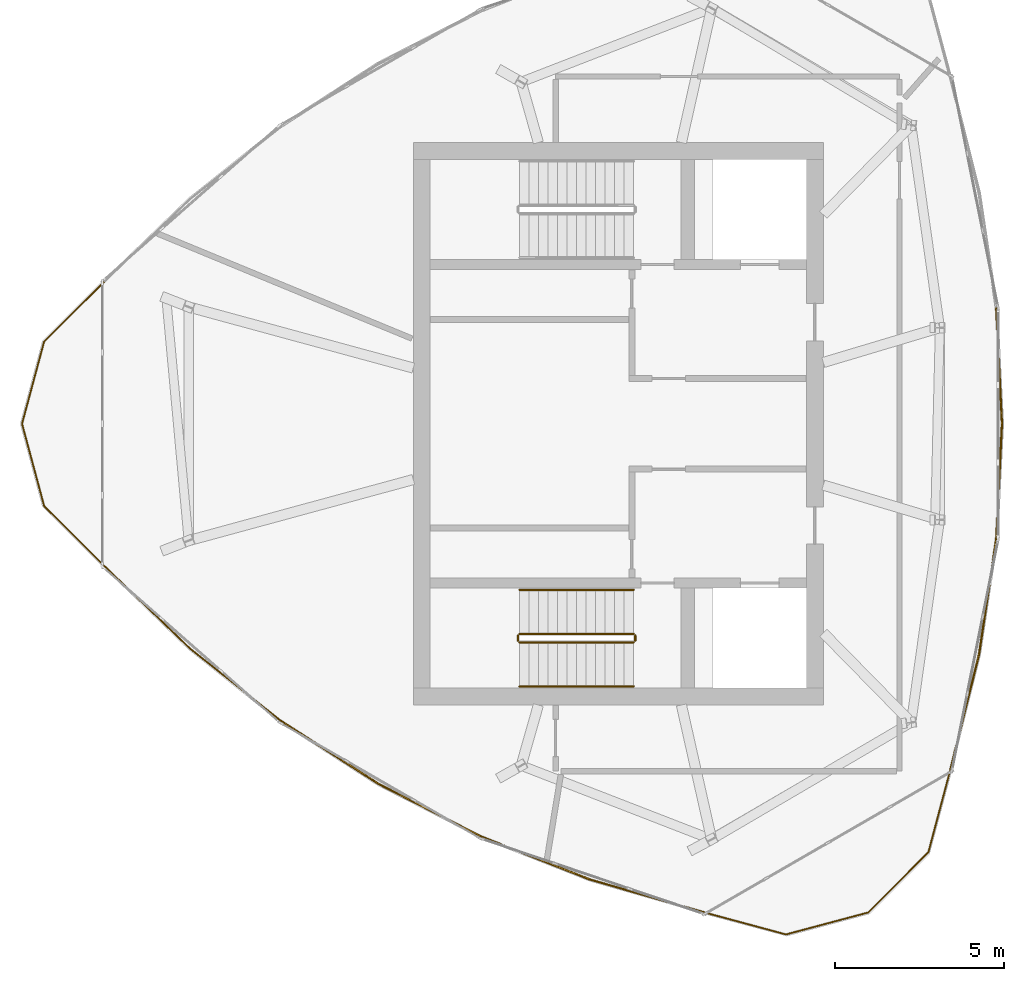
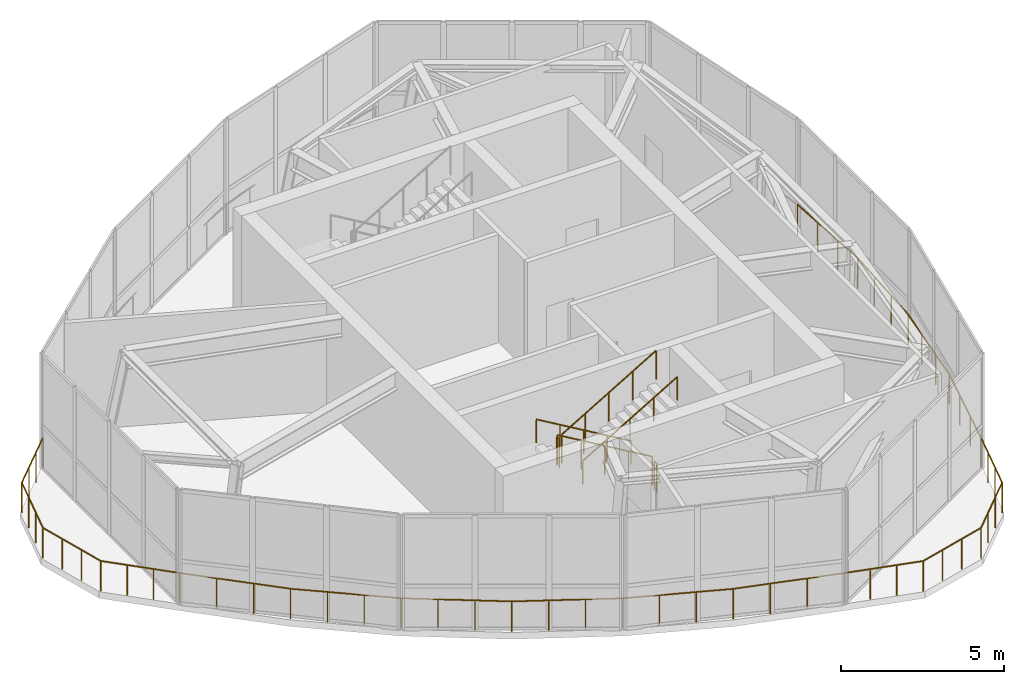
# One storey, part 9 of 10: 13 railings.
"""IFC4 building model written with IfcOpenShell, lengths in metres."""

from ifc_helpers import new_model, si_unit, direction, frame, origin, origin_2d, place, context, subcontext, project, spatial, circle, extrude, source, transform, mapped, material, type_object, element, save


model = new_model("IFC4")

# Units and contexts
model_context = context("Model", 3, precision=1e-05, world=origin(), true_north=direction((0.0, 1.0)))
body_context = subcontext(model_context, "Body", "Model", "MODEL_VIEW")
ifc_project = project(units=[si_unit("LENGTHUNIT", "METRE"), si_unit("AREAUNIT", "SQUARE_METRE"), si_unit("VOLUMEUNIT", "CUBIC_METRE"), si_unit("PLANEANGLEUNIT", "RADIAN"), si_unit("MASSUNIT", "GRAM", prefix="KILO")], contexts=[model_context])

# Site, building, storey
site_placement = place(None, origin())
site = spatial("IfcSite", under=ifc_project, at=site_placement, CompositionType="ELEMENT")
building_placement = place(site_placement, origin())
building = spatial("IfcBuilding", under=site, at=building_placement, Name="Qafzar Sky-Pleat Residences", CompositionType="ELEMENT")
storey_placement = place(building_placement, frame((0.0, 0.0, 261.800048828125)))
storey = spatial("IfcBuildingStorey", under=building, at=storey_placement, Name="L78 Crown", CompositionType="ELEMENT", Elevation=261.800048828125)

# Railings
ifc_material_1 = material(Name="Galvanised and bronze-coated Steel S355 guardrail", Category="steel")
railing_type_1 = type_object("IfcRailingType", Name="RAIL-EXT-1150", PredefinedType="GUARDRAIL", material=ifc_material_1)
shared_shape_1 = source(origin(), body_context, "Body", "SweptSolid", [
    extrude(circle(Radius=0.02392578125, at=origin_2d()), frame((0.0, 0.0, 1.1259765625), z_axis=(-0.70841654923, -0.705794582564, 0.0), x_axis=(0.705794582564, -0.70841654923, 0.0)), (0.0, 0.0, 1.0), 2.51416015625),
    extrude(circle(Radius=0.02392578125, at=origin_2d()), frame((-1.781005859375, -1.7744140625, 1.1259765625), z_axis=(-0.259464627992, -0.965752611605, 0.0), x_axis=(0.965752611605, -0.259464627992, 0.0)), (0.0, 0.0, 1.0), 2.51220703125),
    extrude(circle(Radius=0.02392578125, at=origin_2d()), frame((-2.432861328125, -4.20068359375, 1.1259765625), z_axis=(0.259464627992, -0.965752611605, 0.0), x_axis=(0.965752611605, 0.259464627992, 0.0)), (0.0, 0.0, 1.0), 2.51220703125),
    extrude(circle(Radius=0.02392578125, at=origin_2d()), frame((-1.781005859375, -6.626953125, 1.1259765625), z_axis=(0.70841654923, -0.705794582564, 0.0), x_axis=(0.705794582564, 0.70841654923, 0.0)), (0.0, 0.0, 1.0), 2.51416015625),
    extrude(circle(Radius=0.02099609375, at=origin_2d()), origin(), (0.0, 0.0, 1.0), 1.101806640625),
    extrude(circle(Radius=0.02099609375, at=origin_2d()), frame((-0.59375, -0.591552734375, 0.0)), (0.0, 0.0, 1.0), 1.101806640625),
    extrude(circle(Radius=0.02099609375, at=origin_2d()), frame((-1.187255859375, -1.182861328125, 0.0)), (0.0, 0.0, 1.0), 1.101806640625),
    extrude(circle(Radius=0.02099609375, at=origin_2d()), frame((-1.781005859375, -1.7744140625, 0.0)), (0.0, 0.0, 1.0), 1.101806640625),
    extrude(circle(Radius=0.02099609375, at=origin_2d()), frame((-1.998291015625, -2.583251953125, 0.0)), (0.0, 0.0, 1.0), 1.101806640625),
    extrude(circle(Radius=0.02099609375, at=origin_2d()), frame((-2.215576171875, -3.391845703125, 0.0)), (0.0, 0.0, 1.0), 1.101806640625),
    extrude(circle(Radius=0.02099609375, at=origin_2d()), frame((-2.432861328125, -4.20068359375, 0.0)), (0.0, 0.0, 1.0), 1.101806640625),
    extrude(circle(Radius=0.02099609375, at=origin_2d()), frame((-2.215576171875, -5.009521484375, 0.0)), (0.0, 0.0, 1.0), 1.101806640625),
    extrude(circle(Radius=0.02099609375, at=origin_2d()), frame((-1.998291015625, -5.818115234375, 0.0)), (0.0, 0.0, 1.0), 1.101806640625),
    extrude(circle(Radius=0.02099609375, at=origin_2d()), frame((-1.781005859375, -6.626953125, 0.0)), (0.0, 0.0, 1.0), 1.101806640625),
    extrude(circle(Radius=0.02099609375, at=origin_2d()), frame((-1.187255859375, -7.218505859375, 0.0)), (0.0, 0.0, 1.0), 1.101806640625),
    extrude(circle(Radius=0.02099609375, at=origin_2d()), frame((-0.59375, -7.809814453125, 0.0)), (0.0, 0.0, 1.0), 1.101806640625),
    extrude(circle(Radius=0.02099609375, at=origin_2d()), frame((0.0, -8.4013671875, 0.0)), (0.0, 0.0, 1.0), 1.101806640625),
])
railing_1_placement = place(storey_placement, frame((15.186279296875, 30.20068359375, 0.0)))
element("IfcRailing", 1, at=railing_1_placement, inside=storey, type_object=railing_type_1, Name="L78 Crown Corner Maintenance Guardrail 1", PredefinedType="GUARDRAIL", context=body_context, shape_type="MappedRepresentation", body=[
    mapped(shared_shape_1, transform((0.0, 0.0, 0.0), x_axis=(1.0, 0.0, 0.0), y_axis=(0.0, 1.0, 0.0), z_axis=(0.0, 0.0, 1.0), scale=1.0)),
])
shared_shape_2 = source(origin(), body_context, "Body", "SweptSolid", [
    extrude(circle(Radius=0.02392578125, at=origin_2d()), frame((0.0, 0.0, 1.1259765625), z_axis=(0.719965984311, -0.694009352555, 0.0), x_axis=(0.694009352555, 0.719965984311, 0.0)), (0.0, 0.0, 1.0), 3.50830078125),
    extrude(circle(Radius=0.02392578125, at=origin_2d()), frame((2.52587890625, -2.434814453125, 1.1259765625), z_axis=(0.782825028114, -0.62224189457, 0.0), x_axis=(0.62224189457, 0.782825028114, 0.0)), (0.0, 0.0, 1.0), 3.43896484375),
    extrude(circle(Radius=0.02099609375, at=origin_2d()), origin(), (0.0, 0.0, 1.0), 1.101806640625),
    extrude(circle(Radius=0.02099609375, at=origin_2d()), frame((0.842041015625, -0.8115234375, 0.0)), (0.0, 0.0, 1.0), 1.101806640625),
    extrude(circle(Radius=0.02099609375, at=origin_2d()), frame((1.683837890625, -1.623291015625, 0.0)), (0.0, 0.0, 1.0), 1.101806640625),
    extrude(circle(Radius=0.02099609375, at=origin_2d()), frame((2.52587890625, -2.434814453125, 0.0)), (0.0, 0.0, 1.0), 1.101806640625),
    extrude(circle(Radius=0.02099609375, at=origin_2d()), frame((3.42333984375, -3.148193359375, 0.0)), (0.0, 0.0, 1.0), 1.101806640625),
    extrude(circle(Radius=0.02099609375, at=origin_2d()), frame((4.320556640625, -3.861328125, 0.0)), (0.0, 0.0, 1.0), 1.101806640625),
    extrude(circle(Radius=0.02099609375, at=origin_2d()), frame((5.218017578125, -4.57470703125, 0.0)), (0.0, 0.0, 1.0), 1.101806640625),
])
railing_2_placement = place(storey_placement, frame((15.186279296875, 21.79931640625, 0.0)))
element("IfcRailing", 2, at=railing_2_placement, inside=storey, type_object=railing_type_1, Name="L78 Crown Corner Maintenance Guardrail 2", PredefinedType="GUARDRAIL", context=body_context, shape_type="MappedRepresentation", body=[
    mapped(shared_shape_2, transform((0.0, 0.0, 0.0), x_axis=(1.0, 0.0, 0.0), y_axis=(0.0, 1.0, 0.0), z_axis=(0.0, 0.0, 1.0), scale=1.0)),
])
shared_shape_3 = source(origin(), body_context, "Body", "SweptSolid", [
    extrude(circle(Radius=0.02392578125, at=origin_2d()), frame((0.0, 0.0, 1.1259765625), z_axis=(0.839995116087, -0.542593959559, 0.0), x_axis=(0.542593959559, 0.839995116087, 0.0)), (0.0, 0.0, 1.0), 3.404296875),
    extrude(circle(Radius=0.02392578125, at=origin_2d()), frame((2.859619140625, -1.84716796875, 1.1259765625), z_axis=(0.889469357682, -0.456994815885, 0.0), x_axis=(0.456994815885, 0.889469357682, 0.0)), (0.0, 0.0, 1.0), 3.4052734375),
    extrude(circle(Radius=0.02099609375, at=origin_2d()), origin(), (0.0, 0.0, 1.0), 1.101806640625),
    extrude(circle(Radius=0.02099609375, at=origin_2d()), frame((0.953125, -0.61572265625, 0.0)), (0.0, 0.0, 1.0), 1.101806640625),
    extrude(circle(Radius=0.02099609375, at=origin_2d()), frame((1.906494140625, -1.2314453125, 0.0)), (0.0, 0.0, 1.0), 1.101806640625),
    extrude(circle(Radius=0.02099609375, at=origin_2d()), frame((2.859619140625, -1.84716796875, 0.0)), (0.0, 0.0, 1.0), 1.101806640625),
    extrude(circle(Radius=0.02099609375, at=origin_2d()), frame((3.869140625, -2.365966796875, 0.0)), (0.0, 0.0, 1.0), 1.101806640625),
    extrude(circle(Radius=0.02099609375, at=origin_2d()), frame((4.87890625, -2.884521484375, 0.0)), (0.0, 0.0, 1.0), 1.101806640625),
    extrude(circle(Radius=0.02099609375, at=origin_2d()), frame((5.888427734375, -3.4033203125, 0.0)), (0.0, 0.0, 1.0), 1.101806640625),
])
railing_3_placement = place(storey_placement, frame((20.404296875, 17.224609375, 0.0)))
element("IfcRailing", 3, at=railing_3_placement, inside=storey, type_object=railing_type_1, Name="L78 Crown Corner Maintenance Guardrail 3", PredefinedType="GUARDRAIL", context=body_context, shape_type="MappedRepresentation", body=[
    mapped(shared_shape_3, transform((0.0, 0.0, 0.0), x_axis=(1.0, 0.0, 0.0), y_axis=(0.0, 1.0, 0.0), z_axis=(0.0, 0.0, 1.0), scale=1.0)),
])
shared_shape_4 = source(origin(), body_context, "Body", "SweptSolid", [
    extrude(circle(Radius=0.02392578125, at=origin_2d()), frame((0.0, 0.0, 1.1259765625), z_axis=(0.930028946527, -0.367486269978, 0.0), x_axis=(0.367486269978, 0.930028946527, 0.0)), (0.0, 0.0, 1.0), 3.44189453125),
    extrude(circle(Radius=0.02392578125, at=origin_2d()), frame((3.201171875, -1.264892578125, 1.1259765625), z_axis=(0.96096838237, -0.276658215285, 0.0), x_axis=(0.276658215285, 0.96096838237, 0.0)), (0.0, 0.0, 1.0), 3.51123046875),
    extrude(circle(Radius=0.02099609375, at=origin_2d()), origin(), (0.0, 0.0, 1.0), 1.101806640625),
    extrude(circle(Radius=0.02099609375, at=origin_2d()), frame((1.067138671875, -0.421630859375, 0.0)), (0.0, 0.0, 1.0), 1.101806640625),
    extrude(circle(Radius=0.02099609375, at=origin_2d()), frame((2.134033203125, -0.84326171875, 0.0)), (0.0, 0.0, 1.0), 1.101806640625),
    extrude(circle(Radius=0.02099609375, at=origin_2d()), frame((3.201171875, -1.264892578125, 0.0)), (0.0, 0.0, 1.0), 1.101806640625),
    extrude(circle(Radius=0.02099609375, at=origin_2d()), frame((4.325927734375, -1.588623046875, 0.0)), (0.0, 0.0, 1.0), 1.101806640625),
    extrude(circle(Radius=0.02099609375, at=origin_2d()), frame((5.45068359375, -1.91259765625, 0.0)), (0.0, 0.0, 1.0), 1.101806640625),
    extrude(circle(Radius=0.02099609375, at=origin_2d()), frame((6.575439453125, -2.236328125, 0.0)), (0.0, 0.0, 1.0), 1.101806640625),
])
railing_4_placement = place(storey_placement, frame((26.292724609375, 13.8212890625, 0.0)))
element("IfcRailing", 4, at=railing_4_placement, inside=storey, type_object=railing_type_1, Name="L78 Crown Corner Maintenance Guardrail 4", PredefinedType="GUARDRAIL", context=body_context, shape_type="MappedRepresentation", body=[
    mapped(shared_shape_4, transform((0.0, 0.0, 0.0), x_axis=(1.0, 0.0, 0.0), y_axis=(0.0, 1.0, 0.0), z_axis=(0.0, 0.0, 1.0), scale=1.0)),
])
shared_shape_5 = source(origin(), body_context, "Body", "SweptSolid", [
    extrude(circle(Radius=0.02392578125, at=origin_2d()), frame((0.0, 0.0, 1.1259765625), z_axis=(0.965465700719, -0.260530191601, 0.0), x_axis=(0.260530191601, 0.965465700719, 0.0)), (0.0, 0.0, 1.0), 2.51611328125),
    extrude(circle(Radius=0.02392578125, at=origin_2d()), frame((2.42919921875, -0.655517578125, 1.1259765625), z_axis=(0.966151058512, 0.257976999237, 0.0), x_axis=(-0.257976999237, 0.966151058512, 0.0)), (0.0, 0.0, 1.0), 2.513427734375),
    extrude(circle(Radius=0.02392578125, at=origin_2d()), frame((4.857666015625, -0.007080078125, 1.1259765625), z_axis=(0.706815290967, 0.707398151295, 0.0), x_axis=(-0.707398151295, 0.706815290967, 0.0)), (0.0, 0.0, 1.0), 2.51318359375),
    extrude(circle(Radius=0.02392578125, at=origin_2d()), frame((6.634033203125, 1.770751953125, 1.1259765625), z_axis=(0.257354484453, 0.966317064597, 0.0), x_axis=(-0.966317064597, 0.257354484453, 0.0)), (0.0, 0.0, 1.0), 2.514892578125),
    extrude(circle(Radius=0.02099609375, at=origin_2d()), origin(), (0.0, 0.0, 1.0), 1.101806640625),
    extrude(circle(Radius=0.02099609375, at=origin_2d()), frame((0.809814453125, -0.218505859375, 0.0)), (0.0, 0.0, 1.0), 1.101806640625),
    extrude(circle(Radius=0.02099609375, at=origin_2d()), frame((1.619384765625, -0.43701171875, 0.0)), (0.0, 0.0, 1.0), 1.101806640625),
    extrude(circle(Radius=0.02099609375, at=origin_2d()), frame((2.42919921875, -0.655517578125, 0.0)), (0.0, 0.0, 1.0), 1.101806640625),
    extrude(circle(Radius=0.02099609375, at=origin_2d()), frame((3.23876953125, -0.439453125, 0.0)), (0.0, 0.0, 1.0), 1.101806640625),
    extrude(circle(Radius=0.02099609375, at=origin_2d()), frame((4.048095703125, -0.22314453125, 0.0)), (0.0, 0.0, 1.0), 1.101806640625),
    extrude(circle(Radius=0.02099609375, at=origin_2d()), frame((4.857666015625, -0.007080078125, 0.0)), (0.0, 0.0, 1.0), 1.101806640625),
    extrude(circle(Radius=0.02099609375, at=origin_2d()), frame((5.44970703125, 0.58544921875, 0.0)), (0.0, 0.0, 1.0), 1.101806640625),
    extrude(circle(Radius=0.02099609375, at=origin_2d()), frame((6.0419921875, 1.17822265625, 0.0)), (0.0, 0.0, 1.0), 1.101806640625),
    extrude(circle(Radius=0.02099609375, at=origin_2d()), frame((6.634033203125, 1.770751953125, 0.0)), (0.0, 0.0, 1.0), 1.101806640625),
    extrude(circle(Radius=0.02099609375, at=origin_2d()), frame((6.849853515625, 2.580810546875, 0.0)), (0.0, 0.0, 1.0), 1.101806640625),
    extrude(circle(Radius=0.02099609375, at=origin_2d()), frame((7.0654296875, 3.390869140625, 0.0)), (0.0, 0.0, 1.0), 1.101806640625),
    extrude(circle(Radius=0.02099609375, at=origin_2d()), frame((7.28125, 4.200927734375, 0.0)), (0.0, 0.0, 1.0), 1.101806640625),
])
railing_5_placement = place(storey_placement, frame((32.8681640625, 11.5849609375, 0.0)))
element("IfcRailing", 5, at=railing_5_placement, inside=storey, type_object=railing_type_1, Name="L78 Crown Corner Maintenance Guardrail 5", PredefinedType="GUARDRAIL", context=body_context, shape_type="MappedRepresentation", body=[
    mapped(shared_shape_5, transform((0.0, 0.0, 0.0), x_axis=(1.0, 0.0, 0.0), y_axis=(0.0, 1.0, 0.0), z_axis=(0.0, 0.0, 1.0), scale=1.0)),
])
shared_shape_6 = source(origin(), body_context, "Body", "SweptSolid", [
    extrude(circle(Radius=0.02392578125, at=origin_2d()), frame((0.0, 0.0, 1.1259765625), z_axis=(0.241324518028, 0.970444473939, 0.0), x_axis=(-0.970444473939, 0.241324518028, 0.0)), (0.0, 0.0, 1.0), 3.510498046875),
    extrude(circle(Radius=0.02392578125, at=origin_2d()), frame((0.84716796875, 3.40673828125, 1.1259765625), z_axis=(0.147455981313, 0.989068619245, 0.0), x_axis=(-0.989068619245, 0.147455981313, 0.0)), (0.0, 0.0, 1.0), 3.442138671875),
    extrude(circle(Radius=0.02099609375, at=origin_2d()), origin(), (0.0, 0.0, 1.0), 1.101806640625),
    extrude(circle(Radius=0.02099609375, at=origin_2d()), frame((0.282470703125, 1.135498046875, 0.0)), (0.0, 0.0, 1.0), 1.101806640625),
    extrude(circle(Radius=0.02099609375, at=origin_2d()), frame((0.564697265625, 2.271240234375, 0.0)), (0.0, 0.0, 1.0), 1.101806640625),
    extrude(circle(Radius=0.02099609375, at=origin_2d()), frame((0.84716796875, 3.40673828125, 0.0)), (0.0, 0.0, 1.0), 1.101806640625),
    extrude(circle(Radius=0.02099609375, at=origin_2d()), frame((1.016357421875, 4.54150390625, 0.0)), (0.0, 0.0, 1.0), 1.101806640625),
    extrude(circle(Radius=0.02099609375, at=origin_2d()), frame((1.185546875, 5.676513671875, 0.0)), (0.0, 0.0, 1.0), 1.101806640625),
    extrude(circle(Radius=0.02099609375, at=origin_2d()), frame((1.354736328125, 6.811279296875, 0.0)), (0.0, 0.0, 1.0), 1.101806640625),
])
railing_6_placement = place(storey_placement, frame((40.1494140625, 15.785888671875, 0.0)))
element("IfcRailing", 6, at=railing_6_placement, inside=storey, type_object=railing_type_1, Name="L78 Crown Corner Maintenance Guardrail 6", PredefinedType="GUARDRAIL", context=body_context, shape_type="MappedRepresentation", body=[
    mapped(shared_shape_6, transform((0.0, 0.0, 0.0), x_axis=(1.0, 0.0, 0.0), y_axis=(0.0, 1.0, 0.0), z_axis=(0.0, 0.0, 1.0), scale=1.0)),
])
shared_shape_7 = source(origin(), body_context, "Body", "SweptSolid", [
    extrude(circle(Radius=0.02392578125, at=origin_2d()), frame((0.0, 0.0, 1.1259765625), z_axis=(0.04965884655, 0.998766238396, 0.0), x_axis=(-0.998766238396, 0.04965884655, 0.0)), (0.0, 0.0, 1.0), 3.406982421875),
    extrude(circle(Radius=0.02392578125, at=origin_2d()), frame((0.169189453125, 3.40283203125, 1.1259765625), z_axis=(-0.04965884655, 0.998766238396, 0.0), x_axis=(-0.998766238396, -0.04965884655, 0.0)), (0.0, 0.0, 1.0), 3.406982421875),
    extrude(circle(Radius=0.02099609375, at=origin_2d()), origin(), (0.0, 0.0, 1.0), 1.101806640625),
    extrude(circle(Radius=0.02099609375, at=origin_2d()), frame((0.056396484375, 1.13427734375, 0.0)), (0.0, 0.0, 1.0), 1.101806640625),
    extrude(circle(Radius=0.02099609375, at=origin_2d()), frame((0.11279296875, 2.2685546875, 0.0)), (0.0, 0.0, 1.0), 1.101806640625),
    extrude(circle(Radius=0.02099609375, at=origin_2d()), frame((0.169189453125, 3.40283203125, 0.0)), (0.0, 0.0, 1.0), 1.101806640625),
    extrude(circle(Radius=0.02099609375, at=origin_2d()), frame((0.11279296875, 4.537109375, 0.0)), (0.0, 0.0, 1.0), 1.101806640625),
    extrude(circle(Radius=0.02099609375, at=origin_2d()), frame((0.056396484375, 5.67138671875, 0.0)), (0.0, 0.0, 1.0), 1.101806640625),
    extrude(circle(Radius=0.02099609375, at=origin_2d()), frame((0.0, 6.8056640625, 0.0)), (0.0, 0.0, 1.0), 1.101806640625),
])
railing_7_placement = place(storey_placement, frame((41.504150390625, 22.59716796875, 0.0)))
element("IfcRailing", 7, at=railing_7_placement, inside=storey, type_object=railing_type_1, Name="L78 Crown Corner Maintenance Guardrail 7", PredefinedType="GUARDRAIL", context=body_context, shape_type="MappedRepresentation", body=[
    mapped(shared_shape_7, transform((0.0, 0.0, 0.0), x_axis=(1.0, 0.0, 0.0), y_axis=(0.0, 1.0, 0.0), z_axis=(0.0, 0.0, 1.0), scale=1.0)),
])
ifc_material_2 = material(Name="Painted Steel S355 stair guardrail", Category="steel")
railing_type_2 = type_object("IfcRailingType", Name="RAIL-STAIR-GUARD", PredefinedType="GUARDRAIL", material=ifc_material_2)
shared_shape_8 = source(origin(), body_context, "Body", "SweptSolid", [
    extrude(circle(Radius=0.02392578125, at=origin_2d()), frame((0.0, 0.0, 1.076171875), z_axis=(0.0, -1.0, 0.0), x_axis=(1.0, 0.0, 0.0)), (0.0, 0.0, 1.0), 0.14990234375),
    extrude(circle(Radius=0.02099609375, at=origin_2d()), origin(), (0.0, 0.0, 1.0), 1.052001953125),
    extrude(circle(Radius=0.02099609375, at=origin_2d()), frame((0.0, -0.14990234375, 0.0)), (0.0, 0.0, 1.0), 1.052001953125),
])
for number, where, name in (
    (8, (27.389892578125, 19.75, 2.14990234375), "L78 Crown ST1 stair guard 2"),
    (9, (30.85009765625, 19.75, 0.0), "L78 Crown ST1 stair guard 4"),
):
    element("IfcRailing", number, at=place(storey_placement, frame(where)), inside=storey, type_object=railing_type_2, Name=name, PredefinedType="GUARDRAIL", context=body_context, shape_type="MappedRepresentation", body=[
        mapped(shared_shape_8, transform((0.0, 0.0, 0.0), x_axis=(1.0, 0.0, 0.0), y_axis=(0.0, 1.0, 0.0), z_axis=(0.0, 0.0, 1.0), scale=1.0)),
    ])
shared_shape_9 = source(origin(), body_context, "Body", "SweptSolid", [
    extrude(circle(Radius=0.02392578125, at=origin_2d()), frame((0.0, 0.0, 1.076171875), z_axis=(-0.861027394533, 0.0, 0.50855857663), x_axis=(0.0, -1.0, 0.0)), (0.0, 0.0, 1.0), 3.90234375),
    extrude(circle(Radius=0.02099609375, at=origin_2d()), origin(), (0.0, 0.0, 1.0), 1.052001953125),
    extrude(circle(Radius=0.02099609375, at=origin_2d()), frame((-0.840087890625, 0.0, 0.49609375)), (0.0, 0.0, 1.0), 1.052001953125),
    extrude(circle(Radius=0.02099609375, at=origin_2d()), frame((-1.68017578125, 0.0, 0.9921875)), (0.0, 0.0, 1.0), 1.052001953125),
    extrude(circle(Radius=0.02099609375, at=origin_2d()), frame((-2.52001953125, 0.0, 1.488525390625)), (0.0, 0.0, 1.0), 1.052001953125),
    extrude(circle(Radius=0.02099609375, at=origin_2d()), frame((-3.360107421875, 0.0, 1.984619140625)), (0.0, 0.0, 1.0), 1.052001953125),
])
railing_8_placement = place(storey_placement, frame((30.800048828125, 19.800048828125, 0.165283203125)))
element("IfcRailing", 10, at=railing_8_placement, inside=storey, type_object=railing_type_2, Name="L78 Crown ST1 stair guard 1", PredefinedType="GUARDRAIL", context=body_context, shape_type="MappedRepresentation", body=[
    mapped(shared_shape_9, transform((0.0, 0.0, 0.0), x_axis=(1.0, 0.0, 0.0), y_axis=(0.0, 1.0, 0.0), z_axis=(0.0, 0.0, 1.0), scale=1.0)),
])
shared_shape_10 = source(origin(), body_context, "Body", "SweptSolid", [
    extrude(circle(Radius=0.02392578125, at=origin_2d()), frame((0.0, 0.0, 1.076171875), z_axis=(0.861027394533, 0.0, 0.50855857663), x_axis=(0.0, 1.0, 0.0)), (0.0, 0.0, 1.0), 3.90234375),
    extrude(circle(Radius=0.02099609375, at=origin_2d()), origin(), (0.0, 0.0, 1.0), 1.052001953125),
    extrude(circle(Radius=0.02099609375, at=origin_2d()), frame((0.840087890625, 0.0, 0.49609375)), (0.0, 0.0, 1.0), 1.052001953125),
    extrude(circle(Radius=0.02099609375, at=origin_2d()), frame((1.68017578125, 0.0, 0.9921875)), (0.0, 0.0, 1.0), 1.052001953125),
    extrude(circle(Radius=0.02099609375, at=origin_2d()), frame((2.52001953125, 0.0, 1.488525390625)), (0.0, 0.0, 1.0), 1.052001953125),
    extrude(circle(Radius=0.02099609375, at=origin_2d()), frame((3.360107421875, 0.0, 1.984619140625)), (0.0, 0.0, 1.0), 1.052001953125),
])
railing_9_placement = place(storey_placement, frame((27.43994140625, 19.550048828125, 2.3154296875)))
element("IfcRailing", 11, at=railing_9_placement, inside=storey, type_object=railing_type_2, Name="L78 Crown ST1 stair guard 3", PredefinedType="GUARDRAIL", context=body_context, shape_type="MappedRepresentation", body=[
    mapped(shared_shape_10, transform((0.0, 0.0, 0.0), x_axis=(1.0, 0.0, 0.0), y_axis=(0.0, 1.0, 0.0), z_axis=(0.0, 0.0, 1.0), scale=1.0)),
])
ifc_material_3 = material(Name="Brushed stainless steel handrail", Category="steel")
railing_type_3 = type_object("IfcRailingType", Name="RAIL-STAIR-HAND", PredefinedType="HANDRAIL", material=ifc_material_3)
shared_shape_11 = source(origin(), body_context, "Body", "SweptSolid", [
    extrude(circle(Radius=0.02392578125, at=origin_2d()), frame((0.0, 0.0, 0.8759765625), z_axis=(-0.861027394533, 0.0, 0.50855857663), x_axis=(0.0, -1.0, 0.0)), (0.0, 0.0, 1.0), 3.90234375),
    extrude(circle(Radius=0.02099609375, at=origin_2d()), origin(), (0.0, 0.0, 1.0), 0.851806640625),
    extrude(circle(Radius=0.02099609375, at=origin_2d()), frame((-0.840087890625, 0.0, 0.49609375)), (0.0, 0.0, 1.0), 0.851806640625),
    extrude(circle(Radius=0.02099609375, at=origin_2d()), frame((-1.68017578125, 0.0, 0.9921875)), (0.0, 0.0, 1.0), 0.851806640625),
    extrude(circle(Radius=0.02099609375, at=origin_2d()), frame((-2.52001953125, 0.0, 1.488525390625)), (0.0, 0.0, 1.0), 0.851806640625),
    extrude(circle(Radius=0.02099609375, at=origin_2d()), frame((-3.360107421875, 0.0, 1.984619140625)), (0.0, 0.0, 1.0), 0.851806640625),
])
railing_10_placement = place(storey_placement, frame((30.800048828125, 21.10009765625, 0.165283203125)))
element("IfcRailing", 12, at=railing_10_placement, inside=storey, type_object=railing_type_3, Name="L78 Crown ST1 stair handrail 1", PredefinedType="HANDRAIL", context=body_context, shape_type="MappedRepresentation", body=[
    mapped(shared_shape_11, transform((0.0, 0.0, 0.0), x_axis=(1.0, 0.0, 0.0), y_axis=(0.0, 1.0, 0.0), z_axis=(0.0, 0.0, 1.0), scale=1.0)),
])
shared_shape_12 = source(origin(), body_context, "Body", "SweptSolid", [
    extrude(circle(Radius=0.02392578125, at=origin_2d()), frame((0.0, 0.0, 0.8759765625), z_axis=(0.861027394533, 0.0, 0.50855857663), x_axis=(0.0, 1.0, 0.0)), (0.0, 0.0, 1.0), 3.90234375),
    extrude(circle(Radius=0.02099609375, at=origin_2d()), origin(), (0.0, 0.0, 1.0), 0.851806640625),
    extrude(circle(Radius=0.02099609375, at=origin_2d()), frame((0.840087890625, 0.0, 0.49609375)), (0.0, 0.0, 1.0), 0.851806640625),
    extrude(circle(Radius=0.02099609375, at=origin_2d()), frame((1.68017578125, 0.0, 0.9921875)), (0.0, 0.0, 1.0), 0.851806640625),
    extrude(circle(Radius=0.02099609375, at=origin_2d()), frame((2.52001953125, 0.0, 1.488525390625)), (0.0, 0.0, 1.0), 0.851806640625),
    extrude(circle(Radius=0.02099609375, at=origin_2d()), frame((3.360107421875, 0.0, 1.984619140625)), (0.0, 0.0, 1.0), 0.851806640625),
])
railing_11_placement = place(storey_placement, frame((27.43994140625, 18.25, 2.3154296875)))
element("IfcRailing", 13, at=railing_11_placement, inside=storey, type_object=railing_type_3, Name="L78 Crown ST1 stair handrail 2", PredefinedType="HANDRAIL", context=body_context, shape_type="MappedRepresentation", body=[
    mapped(shared_shape_12, transform((0.0, 0.0, 0.0), x_axis=(1.0, 0.0, 0.0), y_axis=(0.0, 1.0, 0.0), z_axis=(0.0, 0.0, 1.0), scale=1.0)),
])

save(model, "model.ifc")
